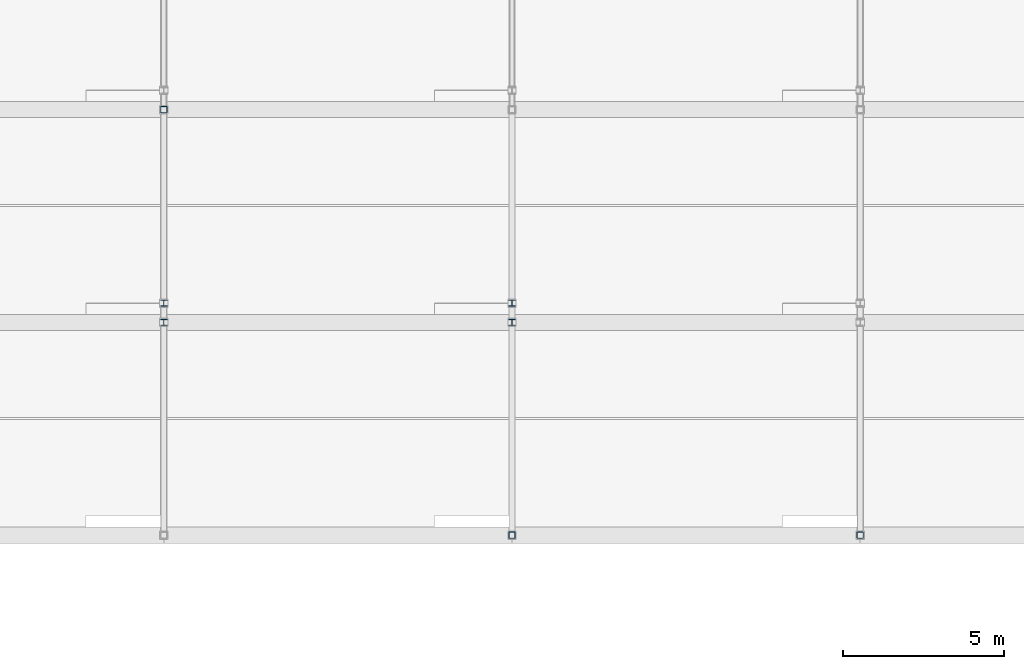
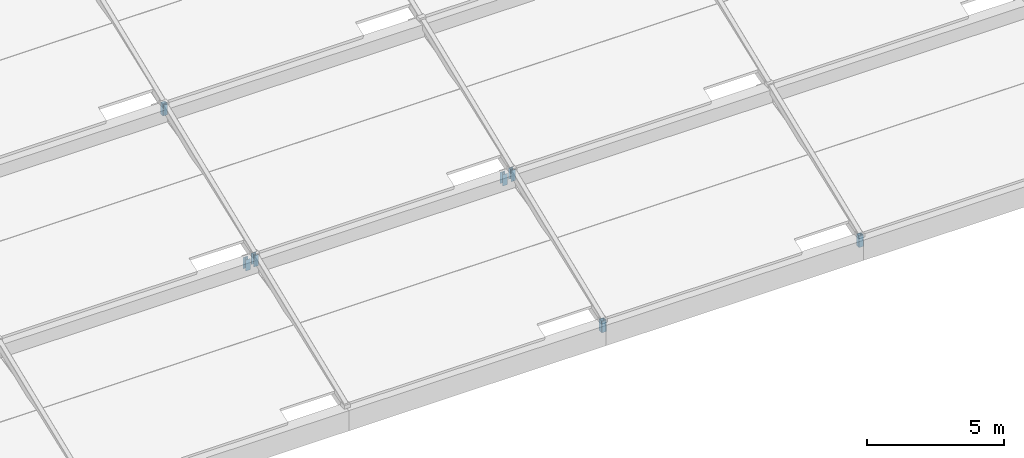
# One storey, part 71 of 112: 7 members.
"""IFC4 building model written with IfcOpenShell, lengths in metres."""

import ifcopenshell
import ifcopenshell.guid

model = None  # the IFC model being written
_history = None  # IfcOwnerHistory: only IFC2X3 demands one
_inside = {}  # id of a spatial element -> (the spatial element, [elements in it])
_under = {}  # id of a project, library or spatial element -> (it, [spatial elements below it])
_declared = {}  # id of a project -> (the project, [libraries it declares])
_typed = {}  # id of a type object -> (the type object, [elements of that type])
_made_of = {}  # id of a material, layer set ... -> (it, [elements and type objects made of it])


def new_model(schema):
    """Start an empty IFC model of exactly this schema.

    Asked for "IFC4X3", IfcOpenShell would pick the latest addendum, in which some entities
    have other attributes; the version numbers below select the first issue.
    IFC2X3 requires an IfcOwnerHistory on every rooted entity: one is made here for all.
    """
    global model, _history
    if schema == "IFC4X3":
        model = ifcopenshell.file(schema_version=(4, 3, 0, 0))
    else:
        model = ifcopenshell.file(schema=schema)
    _inside.clear()
    _under.clear()
    _declared.clear()
    _typed.clear()
    _made_of.clear()
    _history = None
    if model.schema == "IFC2X3":
        org = make("IfcOrganization", Name="unknown")
        user = make(
            "IfcPersonAndOrganization",
            ThePerson=make("IfcPerson", FamilyName="unknown"),
            TheOrganization=org,
        )
        app = make(
            "IfcApplication",
            ApplicationDeveloper=org,
            Version="unknown",
            ApplicationFullName="unknown",
            ApplicationIdentifier="unknown",
        )
        _history = make(
            "IfcOwnerHistory",
            OwningUser=user,
            OwningApplication=app,
            ChangeAction="ADDED",
            CreationDate=0,
        )
    return model


def make(cls, **values):
    """One entity of the class cls with the attributes given. An attribute that is None is left unset."""
    return model.create_entity(
        cls, **{name: value for name, value in values.items() if value is not None}
    )


def rooted(cls, **values):
    """An entity with a GlobalId (a new one), such as an element, a storey or a relation."""
    return make(cls, GlobalId=ifcopenshell.guid.new(), OwnerHistory=_history, **values)


def si_unit(unit_type, name, prefix=None):
    """IfcSIUnit, for example si_unit("LENGTHUNIT", "METRE", prefix="MILLI")."""
    return make("IfcSIUnit", UnitType=unit_type, Prefix=prefix, Name=name)


def assignment(units):
    """IfcUnitAssignment: the units of a project."""
    return None if units is None else make("IfcUnitAssignment", Units=units)


def point(xyz):
    """IfcCartesianPoint."""
    return None if xyz is None else make("IfcCartesianPoint", Coordinates=xyz)


def direction(xyz):
    """IfcDirection."""
    return None if xyz is None else make("IfcDirection", DirectionRatios=xyz)


def frame(location, z_axis=None, x_axis=None):
    """IfcAxis2Placement3D, a coordinate frame: its origin and axes. An axis left out is left unset."""
    return make(
        "IfcAxis2Placement3D",
        Location=point(location),
        Axis=direction(z_axis),
        RefDirection=direction(x_axis),
    )


def frame_2d(location, x_axis=None):
    """IfcAxis2Placement2D, a coordinate frame in the plane: its origin and x axis."""
    return make(
        "IfcAxis2Placement2D", Location=point(location), RefDirection=direction(x_axis)
    )


def origin():
    """The frame at (0, 0, 0) with its axes left unset."""
    return frame((0.0, 0.0, 0.0))


def origin_2d():
    """The frame at (0, 0) in the plane with its x axis left unset."""
    return frame_2d((0.0, 0.0))


def place(relative_to, where):
    """IfcLocalPlacement: puts the frame where relative to a parent placement (None: the world)."""
    return make(
        "IfcLocalPlacement", PlacementRelTo=relative_to, RelativePlacement=where
    )


def context(
    kind, dimensions, precision=None, world=None, true_north=None, identifier=None
):
    """IfcGeometricRepresentationContext, for example the 3D "Model" context."""
    return make(
        "IfcGeometricRepresentationContext",
        ContextIdentifier=identifier,
        ContextType=kind,
        CoordinateSpaceDimension=dimensions,
        Precision=precision,
        WorldCoordinateSystem=world,
        TrueNorth=true_north,
    )


def subcontext(parent, identifier, kind, view, scale=None):
    """IfcGeometricRepresentationSubContext, for example "Body" below "Model"."""
    return make(
        "IfcGeometricRepresentationSubContext",
        ContextIdentifier=identifier,
        ContextType=kind,
        ParentContext=parent,
        TargetScale=scale,
        TargetView=view,
    )


def project(units=None, contexts=None):
    """IfcProject with its units and contexts."""
    return rooted(
        "IfcProject",
        Name="project",
        RepresentationContexts=contexts,
        UnitsInContext=assignment(units),
    )


def spatial(cls, under=None, at=None, **own):
    """A site, building, storey or space (cls), placed at a placement, below another one or the project."""
    s = rooted(cls, ObjectPlacement=at, **own)
    if under is not None:
        _under.setdefault(under.id(), (under, []))[1].append(s)
    return s


def profile(cls, at=None, kind="AREA", **sizes):
    """A parametric profile (cls). Its sizes go by their IFC names, for example OverallWidth=200.0."""
    return make(cls, ProfileType=kind, Position=at, **sizes)


def hollow_rectangle(**sizes):
    """IfcRectangleHollowProfileDef."""
    return profile("IfcRectangleHollowProfileDef", **sizes)


def i_section(**sizes):
    """IfcIShapeProfileDef."""
    return profile("IfcIShapeProfileDef", **sizes)


def extrude(swept, where, along, depth):
    """IfcExtrudedAreaSolid: the profile swept, set in the frame where, extruded along a direction by depth."""
    return make(
        "IfcExtrudedAreaSolid",
        SweptArea=swept,
        Position=where,
        ExtrudedDirection=direction(along),
        Depth=depth,
    )


def shape(context_of_items, identifier, shape_type, items):
    """IfcShapeRepresentation: the items that make up one representation, for example the "Body"."""
    return make(
        "IfcShapeRepresentation",
        ContextOfItems=context_of_items,
        RepresentationIdentifier=identifier,
        RepresentationType=shape_type,
        Items=items,
    )


def material(Name=None, Category=None):
    """IfcMaterial."""
    return make("IfcMaterial", Name=Name, Category=Category)


def material_profile(
    of_material, cross_section, Name=None, Category=None, Priority=None
):
    """IfcMaterialProfile: a cross section and its material."""
    return make(
        "IfcMaterialProfile",
        Name=Name,
        Material=of_material,
        Profile=cross_section,
        Priority=Priority,
        Category=Category,
    )


def profile_set(profiles, Name=None, composite=None):
    """IfcMaterialProfileSet."""
    return make(
        "IfcMaterialProfileSet",
        Name=Name,
        MaterialProfiles=profiles,
        CompositeProfile=composite,
    )


def made_of(thing, what):
    """Note that an element or type object is made of a material, layer set ...; save() writes the relation."""
    if what is not None:
        _made_of.setdefault(what.id(), (what, []))[1].append(thing)
    return thing


def type_object(cls, material=None, **own):
    """A type object (cls), such as IfcWallType, which elements share."""
    return made_of(rooted(cls, **own), material)


def element(
    cls,
    number,
    at=None,
    inside=None,
    cuts=None,
    type_object=None,
    material=None,
    context=None,
    identifier="Body",
    shape_type=None,
    held_by="IfcProductDefinitionShape",
    body=None,
    shapes=None,
    **own,
):
    """One element of the class cls, such as IfcWall. Its Tag is "e" and its number.

    at: its placement. inside: the storey or other place that contains it. cuts: it is an
    opening in that element (IfcRelVoidsElement). A single representation is given by context,
    identifier, shape_type and body (its items); several are given by shapes. held_by: the class
    of the entity that holds the representations. save() writes the other relations.
    """
    e = rooted(cls, Tag="e%d" % number, ObjectPlacement=at, **own)
    if body is not None:
        shapes = [shape(context, identifier, shape_type, body)]
    if shapes is not None:
        e.Representation = make(held_by, Representations=shapes)
    if inside is not None:
        _inside.setdefault(inside.id(), (inside, []))[1].append(e)
    if cuts is not None:
        rooted(
            "IfcRelVoidsElement", RelatingBuildingElement=cuts, RelatedOpeningElement=e
        )
    if type_object is not None:
        _typed.setdefault(type_object.id(), (type_object, []))[1].append(e)
    return made_of(e, material)


def aggregate(whole, parts):
    """IfcRelAggregates: a whole, such as a stair, and the parts it consists of."""
    return rooted("IfcRelAggregates", RelatingObject=whole, RelatedObjects=parts)


def save(model, path):
    """Write the relations noted so far, then the file.

    IfcRelAggregates (storeys below a building ...), IfcRelContainedInSpatialStructure (elements
    in a storey), IfcRelDefinesByType, IfcRelAssociatesMaterial and IfcRelDeclares: one each for
    every whole, place, type object, material and project.
    """
    for whole, parts in _under.values():
        aggregate(whole, parts)
    for where, things in _inside.values():
        rooted(
            "IfcRelContainedInSpatialStructure",
            RelatedElements=things,
            RelatingStructure=where,
        )
    for kind, things in _typed.values():
        rooted("IfcRelDefinesByType", RelatedObjects=things, RelatingType=kind)
    for what, things in _made_of.values():
        rooted("IfcRelAssociatesMaterial", RelatedObjects=things, RelatingMaterial=what)
    for by, libraries in _declared.values():
        rooted("IfcRelDeclares", RelatingContext=by, RelatedDefinitions=libraries)
    model.write(path)


model = new_model("IFC4")

# Units and contexts
model_context = context("Model", 3, precision=1e-05, world=origin(), true_north=direction((0.0, 1.0)))
body_context = subcontext(model_context, "Body", "Model", "MODEL_VIEW")
ifc_project = project(units=[si_unit("LENGTHUNIT", "METRE"), si_unit("AREAUNIT", "SQUARE_METRE"), si_unit("VOLUMEUNIT", "CUBIC_METRE"), si_unit("PLANEANGLEUNIT", "RADIAN"), si_unit("MASSUNIT", "GRAM", prefix="KILO")], contexts=[model_context])

# Site, building, storey
site_placement = place(None, origin())
site = spatial("IfcSite", under=ifc_project, at=site_placement, CompositionType="ELEMENT")
building_placement = place(site_placement, origin())
building = spatial("IfcBuilding", under=site, at=building_placement, Name="Zwinboog Wholesale Market", CompositionType="ELEMENT")
storey_placement = place(building_placement, frame((0.0, 0.0, 19.080078125)))
storey = spatial("IfcBuildingStorey", under=building, at=storey_placement, Name="Roof", CompositionType="ELEMENT", Elevation=19.080078125)

# Members
ifc_material = material(Name="Steel S355", Category="steel")
ifc_material_profile_1 = material_profile(ifc_material, hollow_rectangle(XDim=0.199951171875, YDim=0.199951171875, WallThickness=0.010009765625, InnerFilletRadius=0.010009765625, OuterFilletRadius=0.02001953125, at=origin_2d()), Name="SHS 200x200x10")
ifc_profile_set_1 = profile_set([ifc_material_profile_1], Name="Steel S355")
member_type_1 = type_object("IfcMemberType", Name="MT-04", PredefinedType="BRACE", material=ifc_profile_set_1)
for number, where, z_axis, x_axis, name in (
    (1, (97.199951171875, 56.39990234375, -4.630126953125), (0.0, 0.0, 1.0), (1.0, 0.0, 0.0), "DB-01 (MEM-Roof-0098)"),
    (2, (108.0, 43.199951171875, -10.030029296875), (0.0, 0.0, 1.0), (1.0, 0.0, 0.0), "DB-01 (MEM-Roof-0122)"),
    (3, (118.800048828125, 43.199951171875, -10.030029296875), (0.0, 0.0, 1.0), (1.0, 0.0, 0.0), "DB-01 (MEM-Roof-0152)"),
):
    element("IfcMember", number, at=place(storey_placement, frame(where, z_axis=z_axis, x_axis=x_axis)), inside=storey, type_object=member_type_1, Name=name, PredefinedType="BRACE", context=body_context, shape_type="SweptSolid", body=[
        extrude(hollow_rectangle(XDim=0.199951171875, YDim=0.199951171875, WallThickness=0.010009765625, InnerFilletRadius=0.010009765625, OuterFilletRadius=0.02001953125, at=origin_2d()), origin(), (0.0, 0.0, 1.0), 0.5),
    ])
ifc_material_profile_2 = material_profile(ifc_material, i_section(OverallWidth=0.199951171875, OverallDepth=0.18994140625, WebThickness=0.006591796875, FlangeThickness=0.010009765625, FilletRadius=0.01806640625, at=origin_2d()), Name="HEA 200")
ifc_profile_set_2 = profile_set([ifc_material_profile_2], Name="Steel S355")
member_type_2 = type_object("IfcMemberType", Name="MT-05", PredefinedType="BRACE", material=ifc_profile_set_2)
for number, where, z_axis, x_axis, name in (
    (4, (97.199951171875, 50.39990234375, -7.880126953125), (0.0, 0.0, 1.0), (1.0, 0.0, 0.0), "DB-02 (MEM-Roof-0093)"),
    (5, (97.199951171875, 49.800048828125, -7.330078125), (0.0, 0.0, 1.0), (1.0, 0.0, 0.0), "DB-02 (MEM-Roof-0095)"),
    (6, (108.0, 50.39990234375, -7.880126953125), (0.0, 0.0, 1.0), (1.0, 0.0, 0.0), "DB-02 (MEM-Roof-0123)"),
    (7, (108.0, 49.800048828125, -7.330078125), (0.0, 0.0, 1.0), (1.0, 0.0, 0.0), "DB-02 (MEM-Roof-0125)"),
):
    element("IfcMember", number, at=place(storey_placement, frame(where, z_axis=z_axis, x_axis=x_axis)), inside=storey, type_object=member_type_2, Name=name, PredefinedType="BRACE", context=body_context, shape_type="SweptSolid", body=[
        extrude(i_section(OverallWidth=0.199951171875, OverallDepth=0.18994140625, WebThickness=0.006591796875, FlangeThickness=0.010009765625, FilletRadius=0.01806640625, at=origin_2d()), origin(), (0.0, 0.0, 1.0), 0.5),
    ])

save(model, "model.ifc")
